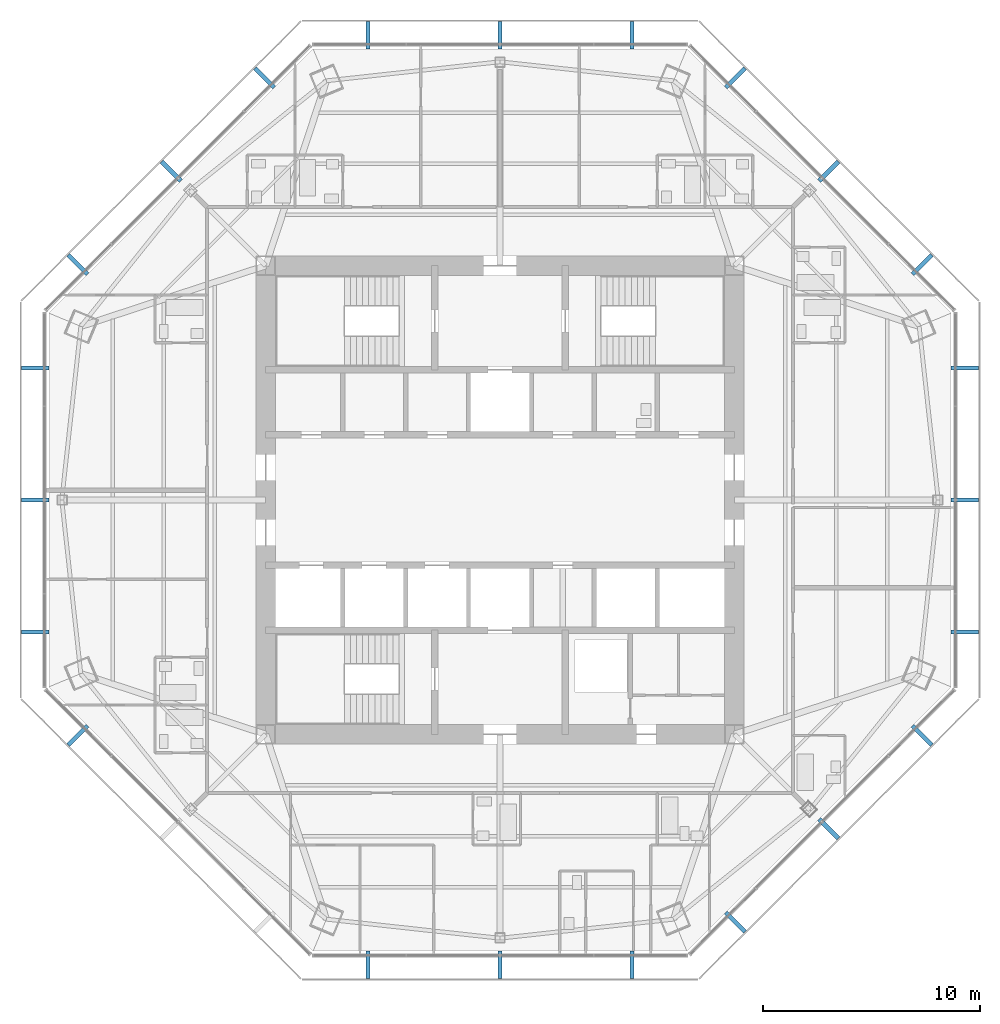
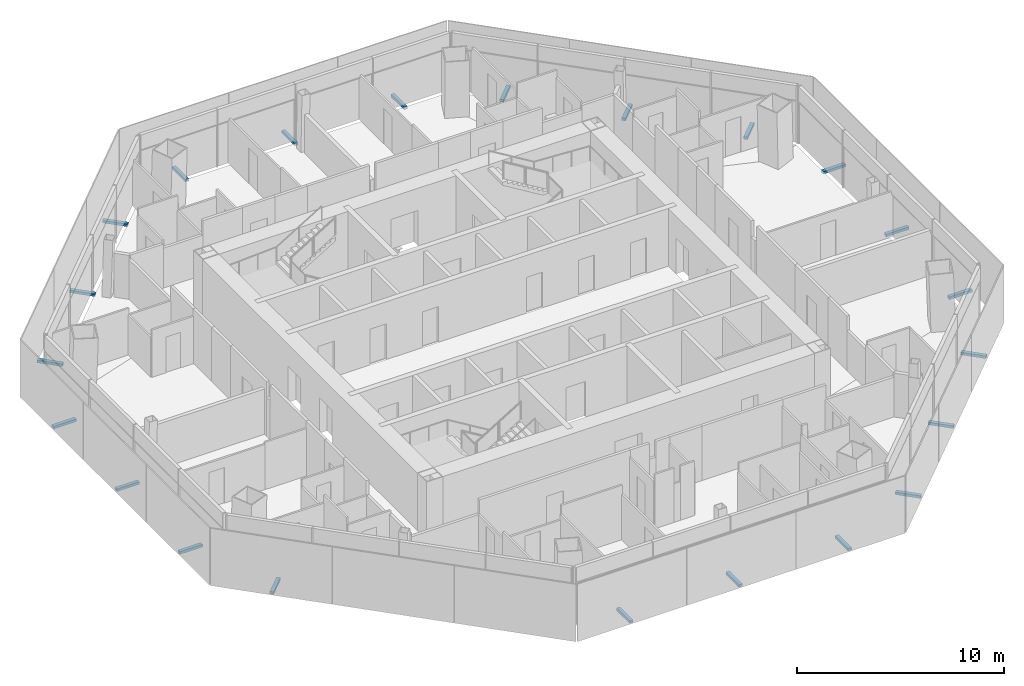
# One storey, part 13 of 15: 22 discrete accessories.
"""IFC4 building model written with IfcOpenShell, lengths in metres."""

from ifc_helpers import new_model, si_unit, direction, frame, origin, origin_2d, place, context, subcontext, project, spatial, rectangle, extrude, source, transform, mapped, material, type_object, type_shapes, element, save


model = new_model("IFC4")

# Units and contexts
model_context = context("Model", 3, precision=1e-05, world=origin(), true_north=direction((0.0, 1.0)))
body_context = subcontext(model_context, "Body", "Model", "MODEL_VIEW")
ifc_project = project(units=[si_unit("LENGTHUNIT", "METRE"), si_unit("AREAUNIT", "SQUARE_METRE"), si_unit("VOLUMEUNIT", "CUBIC_METRE"), si_unit("PLANEANGLEUNIT", "RADIAN"), si_unit("MASSUNIT", "GRAM", prefix="KILO")], contexts=[model_context])

# Site, building, storey
site_placement = place(None, origin())
site = spatial("IfcSite", under=ifc_project, at=site_placement, CompositionType="ELEMENT")
building_placement = place(site_placement, origin())
building = spatial("IfcBuilding", under=site, at=building_placement, Name="Mashrafa Tower", CompositionType="ELEMENT")
storey_placement = place(building_placement, frame((0.0, 0.0, 248.199951171875)))
storey = spatial("IfcBuildingStorey", under=building, at=storey_placement, Name="L59", CompositionType="ELEMENT", Elevation=248.199951171875)

# Discrete accessories
ifc_material = material(Name="Stainless steel screen bracket", Category="steel")
discrete_accessory_type = type_object("IfcDiscreteAccessoryType", Name="Screen support bracket 200 x 150", PredefinedType="BRACKET", material=ifc_material)
shared_shape = source(origin(), body_context, "Body", "SweptSolid", [
    extrude(rectangle(XDim=0.199951171875, YDim=1.27001953125, at=origin_2d()), origin(), (0.0, 0.0, 1.0), 0.14990234375),
])
type_shapes(discrete_accessory_type, [shared_shape])
for number, where, z_axis, x_axis, name in (
    (1, (21.428466796875, -6.0859375, -0.14990234375), (0.0, 0.0, 1.0), (0.0, 1.0, 0.0), "Screen support bracket L59 east 1"),
    (2, (21.428466796875, 0.0, -0.14990234375), (0.0, 0.0, 1.0), (0.0, 1.0, 0.0), "Screen support bracket L59 east 2"),
    (3, (21.428466796875, 6.0859375, -0.14990234375), (0.0, 0.0, 1.0), (0.0, 1.0, 0.0), "Screen support bracket L59 east 3"),
    (4, (19.45556640625, 10.848876953125, -0.14990234375), (0.0, 0.0, 1.0), (-0.707106781187, 0.707106781187, 0.0), "Screen support bracket L59 north-east 1"),
    (5, (15.15234375, 15.15234375, -0.14990234375), (0.0, 0.0, 1.0), (-0.707106781187, 0.707106781187, 0.0), "Screen support bracket L59 north-east 2"),
    (6, (10.848876953125, 19.45556640625, -0.14990234375), (0.0, 0.0, 1.0), (-0.707106781187, 0.707106781187, 0.0), "Screen support bracket L59 north-east 3"),
    (7, (6.0859375, 21.428466796875, -0.14990234375), (0.0, 0.0, 1.0), (-1.0, 0.0, 0.0), "Screen support bracket L59 north 1"),
    (8, (0.0, 21.428466796875, -0.14990234375), (0.0, 0.0, 1.0), (-1.0, 0.0, 0.0), "Screen support bracket L59 north 2"),
    (9, (-6.0859375, 21.428466796875, -0.14990234375), (0.0, 0.0, 1.0), (-1.0, 0.0, 0.0), "Screen support bracket L59 north 3"),
    (10, (-10.848876953125, 19.45556640625, -0.14990234375), (0.0, 0.0, 1.0), (-0.707106781187, -0.707106781187, 0.0), "Screen support bracket L59 north-west 1"),
    (11, (-15.15234375, 15.15234375, -0.14990234375), (0.0, 0.0, 1.0), (-0.707106781187, -0.707106781187, 0.0), "Screen support bracket L59 north-west 2"),
    (12, (-19.45556640625, 10.848876953125, -0.14990234375), (0.0, 0.0, 1.0), (-0.707106781187, -0.707106781187, 0.0), "Screen support bracket L59 north-west 3"),
    (13, (-21.428466796875, 6.0859375, -0.14990234375), (0.0, 0.0, 1.0), (0.0, -1.0, 0.0), "Screen support bracket L59 west 1"),
    (14, (-21.428466796875, 0.0, -0.14990234375), (0.0, 0.0, 1.0), (0.0, -1.0, 0.0), "Screen support bracket L59 west 2"),
    (15, (-21.428466796875, -6.0859375, -0.14990234375), (0.0, 0.0, 1.0), (0.0, -1.0, 0.0), "Screen support bracket L59 west 3"),
    (16, (-19.45556640625, -10.848876953125, -0.14990234375), (0.0, 0.0, 1.0), (0.707106781187, -0.707106781187, 0.0), "Screen support bracket L59 south-west 1"),
    (17, (-6.0859375, -21.428466796875, -0.14990234375), (0.0, 0.0, 1.0), (1.0, 0.0, 0.0), "Screen support bracket L59 south 1"),
    (18, (0.0, -21.428466796875, -0.14990234375), (0.0, 0.0, 1.0), (1.0, 0.0, 0.0), "Screen support bracket L59 south 2"),
    (19, (6.0859375, -21.428466796875, -0.14990234375), (0.0, 0.0, 1.0), (1.0, 0.0, 0.0), "Screen support bracket L59 south 3"),
    (20, (10.848876953125, -19.45556640625, -0.14990234375), (0.0, 0.0, 1.0), (0.707106781187, 0.707106781187, 0.0), "Screen support bracket L59 south-east 1"),
    (21, (15.15234375, -15.15234375, -0.14990234375), (0.0, 0.0, 1.0), (0.707106781187, 0.707106781187, 0.0), "Screen support bracket L59 south-east 2"),
    (22, (19.45556640625, -10.848876953125, -0.14990234375), (0.0, 0.0, 1.0), (0.707106781187, 0.707106781187, 0.0), "Screen support bracket L59 south-east 3"),
):
    element("IfcDiscreteAccessory", number, at=place(storey_placement, frame(where, z_axis=z_axis, x_axis=x_axis)), inside=storey, type_object=discrete_accessory_type, Name=name, PredefinedType="BRACKET", context=body_context, shape_type="MappedRepresentation", body=[
        mapped(shared_shape, transform((0.0, 0.0, 0.0))),
    ])

save(model, "model.ifc")
